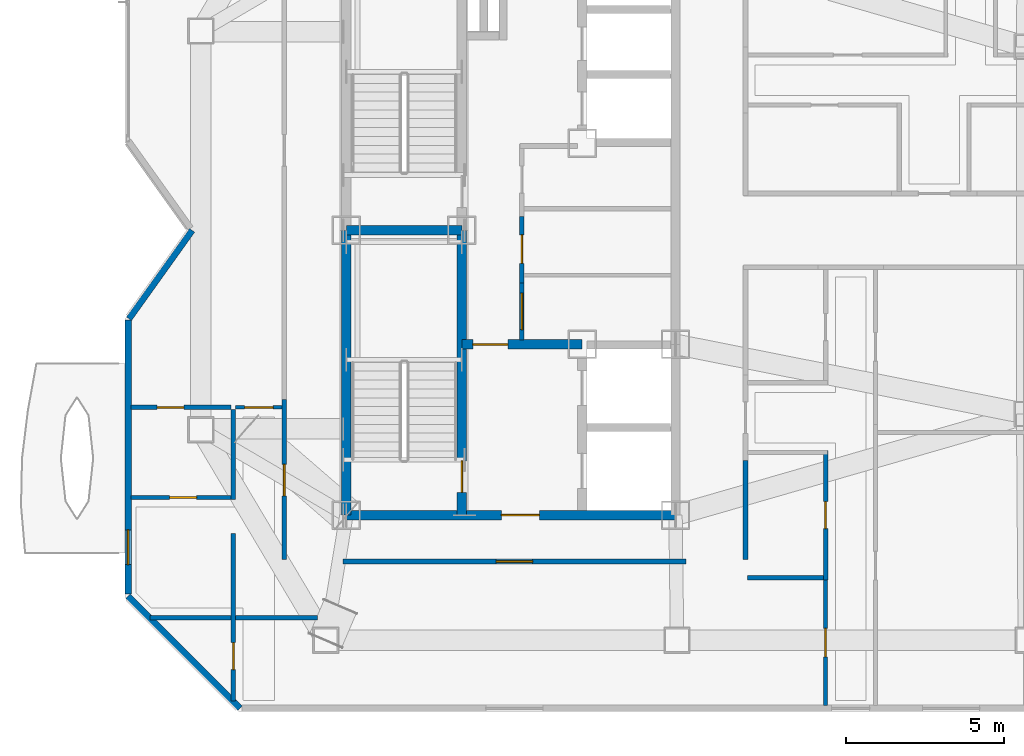
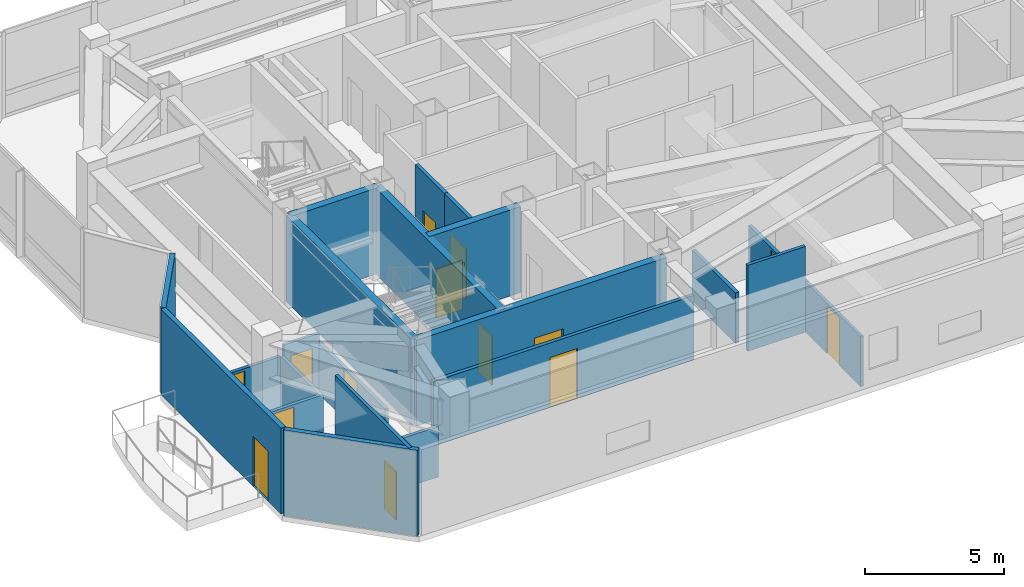
# One storey, part 9 of 16: 22 walls, 14 doors, 14 openings.
"""IFC4 building model written with IfcOpenShell, lengths in metres."""

import ifcopenshell
import ifcopenshell.guid

model = None  # the IFC model being written
_history = None  # IfcOwnerHistory: only IFC2X3 demands one
_inside = {}  # id of a spatial element -> (the spatial element, [elements in it])
_under = {}  # id of a project, library or spatial element -> (it, [spatial elements below it])
_declared = {}  # id of a project -> (the project, [libraries it declares])
_typed = {}  # id of a type object -> (the type object, [elements of that type])
_made_of = {}  # id of a material, layer set ... -> (it, [elements and type objects made of it])


def new_model(schema):
    """Start an empty IFC model of exactly this schema.

    Asked for "IFC4X3", IfcOpenShell would pick the latest addendum, in which some entities
    have other attributes; the version numbers below select the first issue.
    IFC2X3 requires an IfcOwnerHistory on every rooted entity: one is made here for all.
    """
    global model, _history
    if schema == "IFC4X3":
        model = ifcopenshell.file(schema_version=(4, 3, 0, 0))
    else:
        model = ifcopenshell.file(schema=schema)
    _inside.clear()
    _under.clear()
    _declared.clear()
    _typed.clear()
    _made_of.clear()
    _history = None
    if model.schema == "IFC2X3":
        org = make("IfcOrganization", Name="unknown")
        user = make(
            "IfcPersonAndOrganization",
            ThePerson=make("IfcPerson", FamilyName="unknown"),
            TheOrganization=org,
        )
        app = make(
            "IfcApplication",
            ApplicationDeveloper=org,
            Version="unknown",
            ApplicationFullName="unknown",
            ApplicationIdentifier="unknown",
        )
        _history = make(
            "IfcOwnerHistory",
            OwningUser=user,
            OwningApplication=app,
            ChangeAction="ADDED",
            CreationDate=0,
        )
    return model


def make(cls, **values):
    """One entity of the class cls with the attributes given. An attribute that is None is left unset."""
    return model.create_entity(
        cls, **{name: value for name, value in values.items() if value is not None}
    )


def rooted(cls, **values):
    """An entity with a GlobalId (a new one), such as an element, a storey or a relation."""
    return make(cls, GlobalId=ifcopenshell.guid.new(), OwnerHistory=_history, **values)


def si_unit(unit_type, name, prefix=None):
    """IfcSIUnit, for example si_unit("LENGTHUNIT", "METRE", prefix="MILLI")."""
    return make("IfcSIUnit", UnitType=unit_type, Prefix=prefix, Name=name)


def assignment(units):
    """IfcUnitAssignment: the units of a project."""
    return None if units is None else make("IfcUnitAssignment", Units=units)


def point(xyz):
    """IfcCartesianPoint."""
    return None if xyz is None else make("IfcCartesianPoint", Coordinates=xyz)


def direction(xyz):
    """IfcDirection."""
    return None if xyz is None else make("IfcDirection", DirectionRatios=xyz)


def frame(location, z_axis=None, x_axis=None):
    """IfcAxis2Placement3D, a coordinate frame: its origin and axes. An axis left out is left unset."""
    return make(
        "IfcAxis2Placement3D",
        Location=point(location),
        Axis=direction(z_axis),
        RefDirection=direction(x_axis),
    )


def frame_2d(location, x_axis=None):
    """IfcAxis2Placement2D, a coordinate frame in the plane: its origin and x axis."""
    return make(
        "IfcAxis2Placement2D", Location=point(location), RefDirection=direction(x_axis)
    )


def origin():
    """The frame at (0, 0, 0) with its axes left unset."""
    return frame((0.0, 0.0, 0.0))


def place(relative_to, where):
    """IfcLocalPlacement: puts the frame where relative to a parent placement (None: the world)."""
    return make(
        "IfcLocalPlacement", PlacementRelTo=relative_to, RelativePlacement=where
    )


def context(
    kind, dimensions, precision=None, world=None, true_north=None, identifier=None
):
    """IfcGeometricRepresentationContext, for example the 3D "Model" context."""
    return make(
        "IfcGeometricRepresentationContext",
        ContextIdentifier=identifier,
        ContextType=kind,
        CoordinateSpaceDimension=dimensions,
        Precision=precision,
        WorldCoordinateSystem=world,
        TrueNorth=true_north,
    )


def subcontext(parent, identifier, kind, view, scale=None):
    """IfcGeometricRepresentationSubContext, for example "Body" below "Model"."""
    return make(
        "IfcGeometricRepresentationSubContext",
        ContextIdentifier=identifier,
        ContextType=kind,
        ParentContext=parent,
        TargetScale=scale,
        TargetView=view,
    )


def project(units=None, contexts=None):
    """IfcProject with its units and contexts."""
    return rooted(
        "IfcProject",
        Name="project",
        RepresentationContexts=contexts,
        UnitsInContext=assignment(units),
    )


def spatial(cls, under=None, at=None, **own):
    """A site, building, storey or space (cls), placed at a placement, below another one or the project."""
    s = rooted(cls, ObjectPlacement=at, **own)
    if under is not None:
        _under.setdefault(under.id(), (under, []))[1].append(s)
    return s


def profile(cls, at=None, kind="AREA", **sizes):
    """A parametric profile (cls). Its sizes go by their IFC names, for example OverallWidth=200.0."""
    return make(cls, ProfileType=kind, Position=at, **sizes)


def rectangle(**sizes):
    """IfcRectangleProfileDef."""
    return profile("IfcRectangleProfileDef", **sizes)


def extrude(swept, where, along, depth):
    """IfcExtrudedAreaSolid: the profile swept, set in the frame where, extruded along a direction by depth."""
    return make(
        "IfcExtrudedAreaSolid",
        SweptArea=swept,
        Position=where,
        ExtrudedDirection=direction(along),
        Depth=depth,
    )


def shape(context_of_items, identifier, shape_type, items):
    """IfcShapeRepresentation: the items that make up one representation, for example the "Body"."""
    return make(
        "IfcShapeRepresentation",
        ContextOfItems=context_of_items,
        RepresentationIdentifier=identifier,
        RepresentationType=shape_type,
        Items=items,
    )


def material(Name=None, Category=None):
    """IfcMaterial."""
    return make("IfcMaterial", Name=Name, Category=Category)


def layer(
    of_material, thickness, ventilated=None, Name=None, Category=None, Priority=None
):
    """IfcMaterialLayer: one layer of a wall or slab, of a material (None: an air gap)."""
    return make(
        "IfcMaterialLayer",
        Material=of_material,
        LayerThickness=thickness,
        IsVentilated=ventilated,
        Name=Name,
        Category=Category,
        Priority=Priority,
    )


def layer_set(layers, Name=None):
    """IfcMaterialLayerSet."""
    return make("IfcMaterialLayerSet", MaterialLayers=layers, LayerSetName=Name)


def made_of(thing, what):
    """Note that an element or type object is made of a material, layer set ...; save() writes the relation."""
    if what is not None:
        _made_of.setdefault(what.id(), (what, []))[1].append(thing)
    return thing


def type_object(cls, material=None, **own):
    """A type object (cls), such as IfcWallType, which elements share."""
    return made_of(rooted(cls, **own), material)


def element(
    cls,
    number,
    at=None,
    inside=None,
    cuts=None,
    type_object=None,
    material=None,
    context=None,
    identifier="Body",
    shape_type=None,
    held_by="IfcProductDefinitionShape",
    body=None,
    shapes=None,
    **own,
):
    """One element of the class cls, such as IfcWall. Its Tag is "e" and its number.

    at: its placement. inside: the storey or other place that contains it. cuts: it is an
    opening in that element (IfcRelVoidsElement). A single representation is given by context,
    identifier, shape_type and body (its items); several are given by shapes. held_by: the class
    of the entity that holds the representations. save() writes the other relations.
    """
    e = rooted(cls, Tag="e%d" % number, ObjectPlacement=at, **own)
    if body is not None:
        shapes = [shape(context, identifier, shape_type, body)]
    if shapes is not None:
        e.Representation = make(held_by, Representations=shapes)
    if inside is not None:
        _inside.setdefault(inside.id(), (inside, []))[1].append(e)
    if cuts is not None:
        rooted(
            "IfcRelVoidsElement", RelatingBuildingElement=cuts, RelatedOpeningElement=e
        )
    if type_object is not None:
        _typed.setdefault(type_object.id(), (type_object, []))[1].append(e)
    return made_of(e, material)


def fill(opening, filler):
    """IfcRelFillsElement: the door or window that sits in an opening."""
    return rooted(
        "IfcRelFillsElement",
        RelatingOpeningElement=opening,
        RelatedBuildingElement=filler,
    )


def aggregate(whole, parts):
    """IfcRelAggregates: a whole, such as a stair, and the parts it consists of."""
    return rooted("IfcRelAggregates", RelatingObject=whole, RelatedObjects=parts)


def save(model, path):
    """Write the relations noted so far, then the file.

    IfcRelAggregates (storeys below a building ...), IfcRelContainedInSpatialStructure (elements
    in a storey), IfcRelDefinesByType, IfcRelAssociatesMaterial and IfcRelDeclares: one each for
    every whole, place, type object, material and project.
    """
    for whole, parts in _under.values():
        aggregate(whole, parts)
    for where, things in _inside.values():
        rooted(
            "IfcRelContainedInSpatialStructure",
            RelatedElements=things,
            RelatingStructure=where,
        )
    for kind, things in _typed.values():
        rooted("IfcRelDefinesByType", RelatedObjects=things, RelatingType=kind)
    for what, things in _made_of.values():
        rooted("IfcRelAssociatesMaterial", RelatedObjects=things, RelatingMaterial=what)
    for by, libraries in _declared.values():
        rooted("IfcRelDeclares", RelatingContext=by, RelatedDefinitions=libraries)
    model.write(path)


model = new_model("IFC4")

# Units and contexts
model_context = context("Model", 3, precision=1e-05, world=origin(), true_north=direction((0.0, 1.0)))
body_context = subcontext(model_context, "Body", "Model", "MODEL_VIEW")
ifc_project = project(units=[si_unit("LENGTHUNIT", "METRE"), si_unit("AREAUNIT", "SQUARE_METRE"), si_unit("VOLUMEUNIT", "CUBIC_METRE"), si_unit("PLANEANGLEUNIT", "RADIAN"), si_unit("MASSUNIT", "GRAM", prefix="KILO")], contexts=[model_context])

# Site, building, storey
site_placement = place(None, origin())
site = spatial("IfcSite", under=ifc_project, at=site_placement, CompositionType="ELEMENT")
building_placement = place(site_placement, origin())
building = spatial("IfcBuilding", under=site, at=building_placement, Name="Khamvora Tower", CompositionType="ELEMENT")
storey_placement = place(building_placement, frame((0.0, 0.0, 273.64990234375)))
storey = spatial("IfcBuildingStorey", under=building, at=storey_placement, Name="L70", CompositionType="ELEMENT", Elevation=273.64990234375)

# Wall
ifc_material_1 = material(Name="Concrete C50/60", Category="concrete")
ifc_layer_1 = layer(ifc_material_1, 0.300048828125)
ifc_layer_set_1 = layer_set([ifc_layer_1], Name="Concrete C50/60")
wall_type_1 = type_object("IfcWallType", Name="WAL-CORE-300", PredefinedType="SHEAR", material=ifc_layer_set_1)
wall_1_placement = place(storey_placement, frame((29.0, 19.0, 0.0), z_axis=(0.0, 0.0, 1.0), x_axis=(0.0, 1.0, 0.0)))
element("IfcWall", 1, at=wall_1_placement, inside=storey, type_object=wall_type_1, Name="L70 central core west south wall", PredefinedType="SHEAR", context=body_context, shape_type="SweptSolid", body=[
    extrude(rectangle(XDim=9.0, YDim=0.300048828125, at=frame_2d((4.5, 0.0))), origin(), (0.0, 0.0, 1.0), 3.780029296875),
])

# Wall, opening, door
wall_2_placement = place(storey_placement, frame((29.0, 19.0, 0.0), z_axis=(0.0, 0.0, 1.0), x_axis=(1.0, 0.0, 0.0)))
wall_2 = element("IfcWall", 2, at=wall_2_placement, inside=storey, type_object=wall_type_1, Name="L70 central core south wall", PredefinedType="SHEAR", context=body_context, shape_type="SweptSolid", body=[
    extrude(rectangle(XDim=10.39990234375, YDim=0.300048828125, at=frame_2d((5.199951171875, 0.0))), origin(), (0.0, 0.0, 1.0), 3.780029296875),
])
opening_1_placement = place(wall_2_placement, frame((4.89990234375, 0.0, 0.0)))
opening_1 = element("IfcOpeningElement", 3, at=opening_1_placement, cuts=wall_2, Name="Opening D-CR1", PredefinedType="OPENING", context=body_context, shape_type="SweptSolid", body=[
    extrude(rectangle(XDim=1.199951171875, YDim=2.14990234375, at=frame_2d((0.60009765625, 1.074951171875))), frame((0.0, 0.159912109375, 0.0), z_axis=(0.0, -1.0, 0.0), x_axis=(1.0, 0.0, 0.0)), (0.0, 0.0, 1.0), 0.320068359375),
])
ifc_material_2 = material(Name="Powder-Coated Steel and Hardwood Leaf", Category="steel")
door_type_1 = type_object("IfcDoorType", Name="DOR-CORR-1200", OperationType="NOTDEFINED", PredefinedType="DOOR", material=ifc_material_2)
door_1_placement = place(opening_1_placement, origin())
door_1 = element("IfcDoor", 4, at=door_1_placement, inside=storey, type_object=door_type_1, Name="L70 south core lobby to corridor fire door", OperationType="SINGLE_SWING_LEFT", OverallHeight=2.14990234375, OverallWidth=1.199951171875, PredefinedType="DOOR", context=body_context, shape_type="SweptSolid", body=[
    extrude(rectangle(XDim=1.199951171875, YDim=2.14990234375, at=frame_2d((0.60009765625, 1.074951171875))), frame((0.0, 0.02490234375, 0.0), z_axis=(0.0, -1.0, 0.0), x_axis=(1.0, 0.0, 0.0)), (0.0, 0.0, 1.0), 0.050048828125),
])
fill(opening_1, door_1)

wall_3_placement = place(storey_placement, frame((32.64990234375, 19.0, 0.0), z_axis=(0.0, 0.0, 1.0), x_axis=(0.0, 1.0, 0.0)))
wall_3 = element("IfcWall", 5, at=wall_3_placement, inside=storey, type_object=wall_type_1, Name="L70 central core stair south spine wall", PredefinedType="SHEAR", context=body_context, shape_type="SweptSolid", body=[
    extrude(rectangle(XDim=9.0, YDim=0.300048828125, at=frame_2d((4.5, 0.0))), origin(), (0.0, 0.0, 1.0), 3.780029296875),
])
opening_2_placement = place(wall_3_placement, frame((0.719970703125, 0.0, 0.0)))
opening_2 = element("IfcOpeningElement", 6, at=opening_2_placement, cuts=wall_3, Name="Opening D-ST1", PredefinedType="OPENING", context=body_context, shape_type="SweptSolid", body=[
    extrude(rectangle(XDim=1.0, YDim=2.14990234375, at=frame_2d((0.5, 1.074951171875))), frame((0.0, 0.159912109375, 0.0), z_axis=(0.0, -1.0, 0.0), x_axis=(1.0, 0.0, 0.0)), (0.0, 0.0, 1.0), 0.320068359375),
])
door_type_2 = type_object("IfcDoorType", Name="DOR-STAIR-1000", OperationType="NOTDEFINED", PredefinedType="DOOR", material=ifc_material_2)
door_2_placement = place(opening_2_placement, origin())
door_2 = element("IfcDoor", 7, at=door_2_placement, inside=storey, type_object=door_type_2, Name="L70 exit stair ST-01 fire door", OperationType="SINGLE_SWING_RIGHT", OverallHeight=2.14990234375, OverallWidth=1.0, PredefinedType="DOOR", context=body_context, shape_type="SweptSolid", body=[
    extrude(rectangle(XDim=1.0, YDim=2.14990234375, at=frame_2d((0.5, 1.074951171875))), frame((0.0, 0.02490234375, 0.0), z_axis=(0.0, -1.0, 0.0), x_axis=(1.0, 0.0, 0.0)), (0.0, 0.0, 1.0), 0.050048828125),
])
fill(opening_2, door_2)

# Wall
wall_4_placement = place(storey_placement, frame((29.0, 28.0, 0.0), z_axis=(0.0, 0.0, 1.0), x_axis=(1.0, 0.0, 0.0)))
element("IfcWall", 8, at=wall_4_placement, inside=storey, type_object=wall_type_1, Name="L70 central core stair cross wall", PredefinedType="SHEAR", context=body_context, shape_type="SweptSolid", body=[
    extrude(rectangle(XDim=3.64990234375, YDim=0.300048828125, at=frame_2d((1.824951171875, 0.0))), origin(), (0.0, 0.0, 1.0), 3.780029296875),
])

# Wall, opening, door
wall_5_placement = place(storey_placement, frame((32.64990234375, 24.39990234375, 0.0), z_axis=(0.0, 0.0, 1.0), x_axis=(1.0, 0.0, 0.0)))
wall_5 = element("IfcWall", 9, at=wall_5_placement, inside=storey, type_object=wall_type_1, Name="L70 central core firefighting lobby north wall", PredefinedType="SHEAR", context=body_context, shape_type="SweptSolid", body=[
    extrude(rectangle(XDim=3.800048828125, YDim=0.300048828125, at=frame_2d((1.89990234375, 0.0))), origin(), (0.0, 0.0, 1.0), 3.780029296875),
])
opening_3_placement = place(wall_5_placement, frame((0.35009765625, 0.0, 0.0)))
opening_3 = element("IfcOpeningElement", 10, at=opening_3_placement, cuts=wall_5, Name="Opening D-FF1", PredefinedType="OPENING", context=body_context, shape_type="SweptSolid", body=[
    extrude(rectangle(XDim=1.10009765625, YDim=2.14990234375, at=frame_2d((0.550048828125, 1.074951171875))), frame((0.0, 0.159912109375, 0.0), z_axis=(0.0, -1.0, 0.0), x_axis=(1.0, 0.0, 0.0)), (0.0, 0.0, 1.0), 0.320068359375),
])
door_type_3 = type_object("IfcDoorType", Name="DOR-FFLOB-1100", OperationType="NOTDEFINED", PredefinedType="DOOR", material=ifc_material_2)
door_3_placement = place(opening_3_placement, origin())
door_3 = element("IfcDoor", 11, at=door_3_placement, inside=storey, type_object=door_type_3, Name="L70 firefighting lobby smoke-seal fire door", OperationType="SINGLE_SWING_RIGHT", OverallHeight=2.14990234375, OverallWidth=1.10009765625, PredefinedType="DOOR", context=body_context, shape_type="SweptSolid", body=[
    extrude(rectangle(XDim=1.10009765625, YDim=2.14990234375, at=frame_2d((0.550048828125, 1.074951171875))), frame((0.0, 0.02490234375, 0.0), z_axis=(0.0, -1.0, 0.0), x_axis=(1.0, 0.0, 0.0)), (0.0, 0.0, 1.0), 0.050048828125),
])
fill(opening_3, door_3)

ifc_material_3 = material(Name="Fire-Rated Drywall and Steel Stud", Category="steel")
ifc_layer_2 = layer(ifc_material_3, 0.14990234375)
ifc_layer_set_2 = layer_set([ifc_layer_2], Name="Fire-Rated Drywall and Steel Stud")
wall_type_2 = type_object("IfcWallType", Name="WAL-CORR-150", PredefinedType="STANDARD", material=ifc_layer_set_2)
wall_6_placement = place(storey_placement, frame((34.544921875, 28.43603515625, 0.0), z_axis=(0.0, 0.0, 1.0), x_axis=(0.0, -1.0, 0.0)))
wall_6 = element("IfcWall", 12, at=wall_6_placement, inside=storey, type_object=wall_type_2, Name="L70 interior partition wall 003", PredefinedType="STANDARD", context=body_context, shape_type="SweptSolid", body=[
    extrude(rectangle(XDim=2.10009765625, YDim=0.14990234375, at=frame_2d((1.050048828125, 0.0))), origin(), (0.0, 0.0, 1.0), 3.780029296875),
])
opening_4_placement = place(wall_6_placement, frame((0.5791015625, 0.0, 0.0)))
opening_4 = element("IfcOpeningElement", 13, at=opening_4_placement, cuts=wall_6, Name="Opening D-RM1", PredefinedType="OPENING", context=body_context, shape_type="SweptSolid", body=[
    extrude(rectangle(XDim=0.89990234375, YDim=2.10009765625, at=frame_2d((0.449951171875, 1.050048828125))), frame((0.0, 0.0849609375, 0.0), z_axis=(0.0, -1.0, 0.0), x_axis=(1.0, 0.0, 0.0)), (0.0, 0.0, 1.0), 0.169921875),
])
door_type_4 = type_object("IfcDoorType", Name="DOR-ROOM-900", OperationType="NOTDEFINED", PredefinedType="DOOR", material=ifc_material_2)
door_4_placement = place(opening_4_placement, origin())
door_4 = element("IfcDoor", 14, at=door_4_placement, inside=storey, type_object=door_type_4, Name="L70 interior door PHL-CS2", OperationType="SINGLE_SWING_RIGHT", OverallHeight=2.10009765625, OverallWidth=0.89990234375, PredefinedType="DOOR", context=body_context, shape_type="SweptSolid", body=[
    extrude(rectangle(XDim=0.89990234375, YDim=2.10009765625, at=frame_2d((0.449951171875, 1.050048828125))), frame((0.0, 0.02490234375, 0.0), z_axis=(0.0, -1.0, 0.0), x_axis=(1.0, 0.0, 0.0)), (0.0, 0.0, 1.0), 0.050048828125),
])
fill(opening_4, door_4)

wall_7_placement = place(storey_placement, frame((34.544921875, 26.3359375, 0.0), z_axis=(0.0, 0.0, 1.0), x_axis=(0.0, -1.0, 0.0)))
wall_7 = element("IfcWall", 15, at=wall_7_placement, inside=storey, type_object=wall_type_2, Name="L70 interior partition wall 004", PredefinedType="STANDARD", context=body_context, shape_type="SweptSolid", body=[
    extrude(rectangle(XDim=1.7919921875, YDim=0.14990234375, at=frame_2d((0.89599609375, 0.0))), origin(), (0.0, 0.0, 1.0), 3.780029296875),
])
opening_5_placement = place(wall_7_placement, frame((0.321044921875, 0.0, 0.0)))
opening_5 = element("IfcOpeningElement", 16, at=opening_5_placement, cuts=wall_7, Name="Opening D-SC1", PredefinedType="OPENING", context=body_context, shape_type="SweptSolid", body=[
    extrude(rectangle(XDim=1.14990234375, YDim=2.199951171875, at=frame_2d((0.574951171875, 1.10009765625))), frame((0.0, 0.0849609375, 0.0), z_axis=(0.0, -1.0, 0.0), x_axis=(1.0, 0.0, 0.0)), (0.0, 0.0, 1.0), 0.169921875),
])
door_type_5 = type_object("IfcDoorType", Name="DOR-SCHL-1150", OperationType="NOTDEFINED", PredefinedType="DOOR", material=ifc_material_2)
door_5_placement = place(opening_5_placement, origin())
door_5 = element("IfcDoor", 17, at=door_5_placement, inside=storey, type_object=door_type_5, Name="L70 interior door PHL-CS3", OperationType="SINGLE_SWING_LEFT", OverallHeight=2.199951171875, OverallWidth=1.14990234375, PredefinedType="DOOR", context=body_context, shape_type="SweptSolid", body=[
    extrude(rectangle(XDim=1.14990234375, YDim=2.199951171875, at=frame_2d((0.574951171875, 1.10009765625))), frame((0.0, 0.02490234375, 0.0), z_axis=(0.0, -1.0, 0.0), x_axis=(1.0, 0.0, 0.0)), (0.0, 0.0, 1.0), 0.050048828125),
])
fill(opening_5, door_5)

wall_8_placement = place(storey_placement, frame((39.73388671875, 17.534912109375, 0.0), z_axis=(0.0, 0.0, 1.0), x_axis=(-1.0, 0.0, 0.0)))
wall_8 = element("IfcWall", 18, at=wall_8_placement, inside=storey, type_object=wall_type_2, Name="L70 interior partition wall 007", PredefinedType="STANDARD", context=body_context, shape_type="SweptSolid", body=[
    extrude(rectangle(XDim=10.847900390625, YDim=0.14990234375, at=frame_2d((5.423828125, 0.0))), origin(), (0.0, 0.0, 1.0), 2.837158203125),
])
opening_6_placement = place(wall_8_placement, frame((4.84912109375, 0.0, 0.0)))
opening_6 = element("IfcOpeningElement", 19, at=opening_6_placement, cuts=wall_8, Name="Opening D-SC1", PredefinedType="OPENING", context=body_context, shape_type="SweptSolid", body=[
    extrude(rectangle(XDim=1.14990234375, YDim=2.199951171875, at=frame_2d((0.574951171875, 1.10009765625))), frame((0.0, 0.0849609375, 0.0), z_axis=(0.0, -1.0, 0.0), x_axis=(1.0, 0.0, 0.0)), (0.0, 0.0, 1.0), 0.169921875),
])
door_6_placement = place(opening_6_placement, origin())
door_6 = element("IfcDoor", 20, at=door_6_placement, inside=storey, type_object=door_type_5, Name="L70 interior door COR-CREA", OperationType="SINGLE_SWING_RIGHT", OverallHeight=2.199951171875, OverallWidth=1.14990234375, PredefinedType="DOOR", context=body_context, shape_type="SweptSolid", body=[
    extrude(rectangle(XDim=1.14990234375, YDim=2.199951171875, at=frame_2d((0.574951171875, 1.10009765625))), frame((0.0, 0.02490234375, 0.0), z_axis=(0.0, -1.0, 0.0), x_axis=(1.0, 0.0, 0.0)), (0.0, 0.0, 1.0), 0.050048828125),
])
fill(opening_6, door_6)

wall_9_placement = place(storey_placement, frame((27.034912109375, 17.60009765625, 0.0), z_axis=(0.0, 0.0, 1.0), x_axis=(0.0, 1.0, 0.0)))
wall_9 = element("IfcWall", 21, at=wall_9_placement, inside=storey, type_object=wall_type_2, Name="L70 interior partition wall 008", PredefinedType="STANDARD", context=body_context, shape_type="SweptSolid", body=[
    extrude(rectangle(XDim=5.058837890625, YDim=0.14990234375, at=frame_2d((2.529296875, 0.0))), origin(), (0.0, 0.0, 1.0), 2.22021484375),
])
opening_7_placement = place(wall_9_placement, frame((2.009033203125, 0.0, 0.0)))
opening_7 = element("IfcOpeningElement", 22, at=opening_7_placement, cuts=wall_9, Name="Opening D-U1", PredefinedType="OPENING", context=body_context, shape_type="SweptSolid", body=[
    extrude(rectangle(XDim=1.0, YDim=2.14990234375, at=frame_2d((0.5, 1.074951171875))), frame((0.0, 0.0849609375, 0.0), z_axis=(0.0, -1.0, 0.0), x_axis=(1.0, 0.0, 0.0)), (0.0, 0.0, 1.0), 0.169921875),
])
door_type_6 = type_object("IfcDoorType", Name="DOR-UNIT-1000", OperationType="NOTDEFINED", PredefinedType="DOOR", material=ifc_material_2)
door_7_placement = place(opening_7_placement, origin())
door_7 = element("IfcDoor", 23, at=door_7_placement, inside=storey, type_object=door_type_6, Name="L70 interior door COR-70AH", OperationType="SINGLE_SWING_LEFT", OverallHeight=2.14990234375, OverallWidth=1.0, PredefinedType="DOOR", context=body_context, shape_type="SweptSolid", body=[
    extrude(rectangle(XDim=1.0, YDim=2.14990234375, at=frame_2d((0.5, 1.074951171875))), frame((0.0, 0.02490234375, 0.0), z_axis=(0.0, -1.0, 0.0), x_axis=(1.0, 0.0, 0.0)), (0.0, 0.0, 1.0), 0.050048828125),
])
fill(opening_7, door_7)

# Walls
wall_10_placement = place(storey_placement, frame((41.614990234375, 20.735107421875, 0.0), z_axis=(0.0, 0.0, 1.0), x_axis=(0.0, -1.0, 0.0)))
element("IfcWall", 24, at=wall_10_placement, inside=storey, type_object=wall_type_2, Name="L70 interior partition wall 014", PredefinedType="STANDARD", context=body_context, shape_type="SweptSolid", body=[
    extrude(rectangle(XDim=3.135009765625, YDim=0.14990234375, at=frame_2d((1.5673828125, 0.0))), origin(), (0.0, 0.0, 1.0), 2.22021484375),
])
ifc_material_4 = material(Name="Precast concrete C40/50", Category="concrete")
ifc_layer_3 = layer(ifc_material_4, 0.199951171875)
ifc_layer_set_3 = layer_set([ifc_layer_3], Name="Precast concrete C40/50")
wall_type_3 = type_object("IfcWallType", Name="WAL-EXT-200", PredefinedType="STANDARD", material=ifc_layer_set_3)
wall_11_placement = place(storey_placement, frame((25.64111328125, 12.89990234375, 0.0), z_axis=(0.0, 0.0, 1.0), x_axis=(-0.707106781187, 0.707106781187, 0.0)))
element("IfcWall", 25, at=wall_11_placement, inside=storey, type_object=wall_type_3, Name="L70 exterior facade wall 01.1", PredefinedType="STANDARD", context=body_context, shape_type="SweptSolid", body=[
    extrude(rectangle(XDim=5.0078125, YDim=0.199951171875, at=frame_2d((2.50390625, 0.0))), origin(), (0.0, 0.0, 1.0), 3.780029296875),
])

# Wall, opening, door
wall_12_placement = place(storey_placement, frame((22.10009765625, 16.50390625, 0.0), z_axis=(0.0, 0.0, 1.0), x_axis=(0.0, 1.0, 0.0)))
wall_12 = element("IfcWall", 26, at=wall_12_placement, inside=storey, type_object=wall_type_3, Name="L70 exterior facade wall 02.1", PredefinedType="STANDARD", context=body_context, shape_type="SweptSolid", body=[
    extrude(rectangle(XDim=8.6640625, YDim=0.199951171875, at=frame_2d((4.33203125, 0.0))), origin(), (0.0, 0.0, 1.0), 3.780029296875),
])
opening_8_placement = place(wall_12_placement, frame((0.93505859375, 0.0, 0.0)))
opening_8 = element("IfcOpeningElement", 27, at=opening_8_placement, cuts=wall_12, Name="Opening BD-01", PredefinedType="OPENING", context=body_context, shape_type="SweptSolid", body=[
    extrude(rectangle(XDim=1.10009765625, YDim=2.199951171875, at=frame_2d((0.550048828125, 1.10009765625))), frame((0.0, 0.10986328125, 0.0), z_axis=(0.0, -1.0, 0.0), x_axis=(1.0, 0.0, 0.0)), (0.0, 0.0, 1.0), 0.219970703125),
])
ifc_material_5 = material(Name="Anodised Aluminium and Laminated Safety Glass", Category="aluminium")
door_type_7 = type_object("IfcDoorType", Name="DOR-BAL-1100", OperationType="NOTDEFINED", PredefinedType="DOOR", material=ifc_material_5)
door_8_placement = place(opening_8_placement, origin())
door_8 = element("IfcDoor", 28, at=door_8_placement, inside=storey, type_object=door_type_7, Name="L70 lens gallery balcony door WL1", OperationType="SLIDING_TO_LEFT", OverallHeight=2.199951171875, OverallWidth=1.10009765625, PredefinedType="DOOR", context=body_context, shape_type="SweptSolid", body=[
    extrude(rectangle(XDim=1.10009765625, YDim=2.199951171875, at=frame_2d((0.550048828125, 1.10009765625))), frame((0.0, 0.02490234375, 0.0), z_axis=(0.0, -1.0, 0.0), x_axis=(1.0, 0.0, 0.0)), (0.0, 0.0, 1.0), 0.050048828125),
])
fill(opening_8, door_8)

# Wall
wall_13_placement = place(storey_placement, frame((22.1279296875, 25.2080078125, 0.0), z_axis=(0.0, 0.0, 1.0), x_axis=(0.581399701415, 0.813618084358, 0.0)))
element("IfcWall", 29, at=wall_13_placement, inside=storey, type_object=wall_type_3, Name="L70 exterior facade wall 03.1", PredefinedType="STANDARD", context=body_context, shape_type="SweptSolid", body=[
    extrude(rectangle(XDim=3.431640625, YDim=0.199951171875, at=frame_2d((1.7158203125, 0.0))), origin(), (0.0, 0.0, 1.0), 3.780029296875),
])

# Wall, opening, door
ifc_material_6 = material(Name="Gypsum Plasterboard Partition", Category="gypsum")
ifc_layer_4 = layer(ifc_material_6, 0.1201171875)
ifc_layer_set_4 = layer_set([ifc_layer_4], Name="Gypsum Plasterboard Partition")
wall_type_4 = type_object("IfcWallType", Name="WAL-PART-120", PredefinedType="PARTITIONING", material=ifc_layer_set_4)
wall_14_placement = place(storey_placement, frame((25.489990234375, 22.409912109375, 0.0), z_axis=(0.0, 0.0, 1.0), x_axis=(1.0, 0.0, 0.0)))
wall_14 = element("IfcWall", 30, at=wall_14_placement, inside=storey, type_object=wall_type_4, Name="L70 interior partition wall 033", PredefinedType="PARTITIONING", context=body_context, shape_type="SweptSolid", body=[
    extrude(rectangle(XDim=1.47998046875, YDim=0.1201171875, at=frame_2d((0.739990234375, 0.0))), origin(), (0.0, 0.0, 1.0), 2.670166015625),
])
opening_9_placement = place(wall_14_placement, frame((0.2900390625, 0.0, 0.0)))
opening_9 = element("IfcOpeningElement", 31, at=opening_9_placement, cuts=wall_14, Name="Opening D-RM1", PredefinedType="OPENING", context=body_context, shape_type="SweptSolid", body=[
    extrude(rectangle(XDim=0.89990234375, YDim=2.10009765625, at=frame_2d((0.449951171875, 1.050048828125))), frame((0.0, 0.070068359375, 0.0), z_axis=(0.0, -1.0, 0.0), x_axis=(1.0, 0.0, 0.0)), (0.0, 0.0, 1.0), 0.14013671875),
])
door_9_placement = place(opening_9_placement, origin())
door_9 = element("IfcDoor", 32, at=door_9_placement, inside=storey, type_object=door_type_4, Name="L70 interior door 70AH-70AR1", OperationType="SINGLE_SWING_RIGHT", OverallHeight=2.10009765625, OverallWidth=0.89990234375, PredefinedType="DOOR", context=body_context, shape_type="SweptSolid", body=[
    extrude(rectangle(XDim=0.89990234375, YDim=2.10009765625, at=frame_2d((0.449951171875, 1.050048828125))), frame((0.0, 0.02490234375, 0.0), z_axis=(0.0, -1.0, 0.0), x_axis=(1.0, 0.0, 0.0)), (0.0, 0.0, 1.0), 0.050048828125),
])
fill(opening_9, door_9)

wall_15_placement = place(storey_placement, frame((44.14501953125, 16.9541015625, 0.0), z_axis=(0.0, 0.0, 1.0), x_axis=(0.0, -1.0, 0.0)))
wall_15 = element("IfcWall", 33, at=wall_15_placement, inside=storey, type_object=wall_type_4, Name="L70 interior partition wall 035", PredefinedType="PARTITIONING", context=body_context, shape_type="SweptSolid", body=[
    extrude(rectangle(XDim=3.962158203125, YDim=0.1201171875, at=frame_2d((1.98095703125, 0.0))), origin(), (0.0, 0.0, 1.0), 2.22021484375),
])
opening_10_placement = place(wall_15_placement, frame((1.531005859375, 0.0, 0.0)))
opening_10 = element("IfcOpeningElement", 34, at=opening_10_placement, cuts=wall_15, Name="Opening D-RM1", PredefinedType="OPENING", context=body_context, shape_type="SweptSolid", body=[
    extrude(rectangle(XDim=0.89990234375, YDim=2.10009765625, at=frame_2d((0.449951171875, 1.050048828125))), frame((0.0, 0.070068359375, 0.0), z_axis=(0.0, -1.0, 0.0), x_axis=(1.0, 0.0, 0.0)), (0.0, 0.0, 1.0), 0.14013671875),
])
door_10_placement = place(opening_10_placement, origin())
door_10 = element("IfcDoor", 35, at=door_10_placement, inside=storey, type_object=door_type_4, Name="L70 interior door 70CW1-70CH", OperationType="SINGLE_SWING_LEFT", OverallHeight=2.10009765625, OverallWidth=0.89990234375, PredefinedType="DOOR", context=body_context, shape_type="SweptSolid", body=[
    extrude(rectangle(XDim=0.89990234375, YDim=2.10009765625, at=frame_2d((0.449951171875, 1.050048828125))), frame((0.0, 0.02490234375, 0.0), z_axis=(0.0, -1.0, 0.0), x_axis=(1.0, 0.0, 0.0)), (0.0, 0.0, 1.0), 0.050048828125),
])
fill(opening_10, door_10)

ifc_material_7 = material(Name="Moisture-Resistant Plasterboard Partition", Category="gypsum")
ifc_layer_5 = layer(ifc_material_7, 0.135009765625)
ifc_layer_set_5 = layer_set([ifc_layer_5], Name="Moisture-Resistant Plasterboard Partition")
wall_type_5 = type_object("IfcWallType", Name="WAL-WET-135", PredefinedType="PARTITIONING", material=ifc_layer_set_5)
wall_16_placement = place(storey_placement, frame((25.425048828125, 13.123046875, 0.0), z_axis=(0.0, 0.0, 1.0), x_axis=(0.0, 1.0, 0.0)))
wall_16 = element("IfcWall", 36, at=wall_16_placement, inside=storey, type_object=wall_type_5, Name="L70 interior partition wall 029", PredefinedType="PARTITIONING", context=body_context, shape_type="SweptSolid", body=[
    extrude(rectangle(XDim=5.302001953125, YDim=0.135009765625, at=frame_2d((2.65087890625, 0.0))), origin(), (0.0, 0.0, 1.0), 3.780029296875),
])
opening_11_placement = place(wall_16_placement, frame((0.9970703125, 0.0, 0.0)))
opening_11 = element("IfcOpeningElement", 37, at=opening_11_placement, cuts=wall_16, Name="Opening D-WC1", PredefinedType="OPENING", context=body_context, shape_type="SweptSolid", body=[
    extrude(rectangle(XDim=0.85009765625, YDim=2.10009765625, at=frame_2d((0.425048828125, 1.050048828125))), frame((0.0, 0.077392578125, 0.0), z_axis=(0.0, -1.0, 0.0), x_axis=(1.0, 0.0, 0.0)), (0.0, 0.0, 1.0), 0.155029296875),
])
door_type_8 = type_object("IfcDoorType", Name="DOR-WET-850", OperationType="NOTDEFINED", PredefinedType="DOOR", material=ifc_material_2)
door_11_placement = place(opening_11_placement, origin())
door_11 = element("IfcDoor", 38, at=door_11_placement, inside=storey, type_object=door_type_8, Name="L70 interior door 70AH-70AB", OperationType="SINGLE_SWING_LEFT", OverallHeight=2.10009765625, OverallWidth=0.85009765625, PredefinedType="DOOR", context=body_context, shape_type="SweptSolid", body=[
    extrude(rectangle(XDim=0.85009765625, YDim=2.10009765625, at=frame_2d((0.425048828125, 1.050048828125))), frame((0.0, 0.02490234375, 0.0), z_axis=(0.0, -1.0, 0.0), x_axis=(1.0, 0.0, 0.0)), (0.0, 0.0, 1.0), 0.050048828125),
])
fill(opening_11, door_11)

# Wall
wall_17_placement = place(storey_placement, frame((28.090087890625, 15.760009765625, 0.0), z_axis=(0.0, 0.0, 1.0), x_axis=(-1.0, 0.0, 0.0)))
element("IfcWall", 39, at=wall_17_placement, inside=storey, type_object=wall_type_5, Name="L70 interior partition wall 030", PredefinedType="PARTITIONING", context=body_context, shape_type="SweptSolid", body=[
    extrude(rectangle(XDim=5.302001953125, YDim=0.135009765625, at=frame_2d((2.65087890625, 0.0))), origin(), (0.0, 0.0, 1.0), 2.22021484375),
])

# Wall, opening, door
wall_18_placement = place(storey_placement, frame((22.19189453125, 19.56005859375, 0.0), z_axis=(0.0, 0.0, 1.0), x_axis=(1.0, 0.0, 0.0)))
wall_18 = element("IfcWall", 40, at=wall_18_placement, inside=storey, type_object=wall_type_5, Name="L70 interior partition wall 031", PredefinedType="PARTITIONING", context=body_context, shape_type="SweptSolid", body=[
    extrude(rectangle(XDim=3.298095703125, YDim=0.135009765625, at=frame_2d((1.64892578125, 0.0))), origin(), (0.0, 0.0, 1.0), 2.22021484375),
])
opening_12_placement = place(wall_18_placement, frame((1.22412109375, 0.0, 0.0)))
opening_12 = element("IfcOpeningElement", 41, at=opening_12_placement, cuts=wall_18, Name="Opening D-RM2", PredefinedType="OPENING", context=body_context, shape_type="SweptSolid", body=[
    extrude(rectangle(XDim=0.85009765625, YDim=2.10009765625, at=frame_2d((0.425048828125, 1.050048828125))), frame((0.0, 0.077392578125, 0.0), z_axis=(0.0, -1.0, 0.0), x_axis=(1.0, 0.0, 0.0)), (0.0, 0.0, 1.0), 0.155029296875),
])
door_type_9 = type_object("IfcDoorType", Name="DOR-ROOM-850", OperationType="NOTDEFINED", PredefinedType="DOOR", material=ifc_material_2)
door_12_placement = place(opening_12_placement, origin())
door_12 = element("IfcDoor", 42, at=door_12_placement, inside=storey, type_object=door_type_9, Name="L70 interior door 70AH-70AK", OperationType="SINGLE_SWING_LEFT", OverallHeight=2.10009765625, OverallWidth=0.85009765625, PredefinedType="DOOR", context=body_context, shape_type="SweptSolid", body=[
    extrude(rectangle(XDim=0.85009765625, YDim=2.10009765625, at=frame_2d((0.425048828125, 1.050048828125))), frame((0.0, 0.02490234375, 0.0), z_axis=(0.0, -1.0, 0.0), x_axis=(1.0, 0.0, 0.0)), (0.0, 0.0, 1.0), 0.050048828125),
])
fill(opening_12, door_12)

# Wall
wall_19_placement = place(storey_placement, frame((25.425048828125, 19.4951171875, 0.0), z_axis=(0.0, 0.0, 1.0), x_axis=(0.0, 1.0, 0.0)))
element("IfcWall", 43, at=wall_19_placement, inside=storey, type_object=wall_type_5, Name="L70 interior partition wall 032", PredefinedType="PARTITIONING", context=body_context, shape_type="SweptSolid", body=[
    extrude(rectangle(XDim=2.849853515625, YDim=0.135009765625, at=frame_2d((1.4248046875, 0.0))), origin(), (0.0, 0.0, 1.0), 2.22021484375),
])

# Wall, opening, door
wall_20_placement = place(storey_placement, frame((22.19189453125, 22.409912109375, 0.0), z_axis=(0.0, 0.0, 1.0), x_axis=(1.0, 0.0, 0.0)))
wall_20 = element("IfcWall", 44, at=wall_20_placement, inside=storey, type_object=wall_type_5, Name="L70 interior partition wall 034", PredefinedType="PARTITIONING", context=body_context, shape_type="SweptSolid", body=[
    extrude(rectangle(XDim=3.168212890625, YDim=0.135009765625, at=frame_2d((1.583984375, 0.0))), origin(), (0.0, 0.0, 1.0), 2.22021484375),
])
opening_13_placement = place(wall_20_placement, frame((0.822021484375, 0.0, 0.0)))
opening_13 = element("IfcOpeningElement", 45, at=opening_13_placement, cuts=wall_20, Name="Opening D-RM2", PredefinedType="OPENING", context=body_context, shape_type="SweptSolid", body=[
    extrude(rectangle(XDim=0.85009765625, YDim=2.10009765625, at=frame_2d((0.425048828125, 1.050048828125))), frame((0.0, 0.077392578125, 0.0), z_axis=(0.0, -1.0, 0.0), x_axis=(1.0, 0.0, 0.0)), (0.0, 0.0, 1.0), 0.155029296875),
])
door_13_placement = place(opening_13_placement, origin())
door_13 = element("IfcDoor", 46, at=door_13_placement, inside=storey, type_object=door_type_9, Name="L70 interior door 70AK-70AR1", OperationType="SINGLE_SWING_LEFT", OverallHeight=2.10009765625, OverallWidth=0.85009765625, PredefinedType="DOOR", context=body_context, shape_type="SweptSolid", body=[
    extrude(rectangle(XDim=0.85009765625, YDim=2.10009765625, at=frame_2d((0.425048828125, 1.050048828125))), frame((0.0, 0.02490234375, 0.0), z_axis=(0.0, -1.0, 0.0), x_axis=(1.0, 0.0, 0.0)), (0.0, 0.0, 1.0), 0.050048828125),
])
fill(opening_13, door_13)

# Wall
wall_21_placement = place(storey_placement, frame((41.679931640625, 17.01904296875, 0.0), z_axis=(0.0, 0.0, 1.0), x_axis=(1.0, 0.0, 0.0)))
element("IfcWall", 47, at=wall_21_placement, inside=storey, type_object=wall_type_5, Name="L70 interior partition wall 036", PredefinedType="PARTITIONING", context=body_context, shape_type="SweptSolid", body=[
    extrude(rectangle(XDim=2.400146484375, YDim=0.135009765625, at=frame_2d((1.2001953125, 0.0))), origin(), (0.0, 0.0, 1.0), 3.780029296875),
])

# Wall, opening, door
wall_22_placement = place(storey_placement, frame((44.14501953125, 16.9541015625, 0.0), z_axis=(0.0, 0.0, 1.0), x_axis=(0.0, 1.0, 0.0)))
wall_22 = element("IfcWall", 48, at=wall_22_placement, inside=storey, type_object=wall_type_5, Name="L70 interior partition wall 039", PredefinedType="PARTITIONING", context=body_context, shape_type="SweptSolid", body=[
    extrude(rectangle(XDim=4.094970703125, YDim=0.135009765625, at=frame_2d((2.04736328125, 0.0))), origin(), (0.0, 0.0, 1.0), 2.22021484375),
])
opening_14_placement = place(wall_22_placement, frame((1.6220703125, 0.0, 0.0)))
opening_14 = element("IfcOpeningElement", 49, at=opening_14_placement, cuts=wall_22, Name="Opening D-RM2", PredefinedType="OPENING", context=body_context, shape_type="SweptSolid", body=[
    extrude(rectangle(XDim=0.85009765625, YDim=2.10009765625, at=frame_2d((0.425048828125, 1.050048828125))), frame((0.0, 0.077392578125, 0.0), z_axis=(0.0, -1.0, 0.0), x_axis=(1.0, 0.0, 0.0)), (0.0, 0.0, 1.0), 0.155029296875),
])
door_14_placement = place(opening_14_placement, origin())
door_14 = element("IfcDoor", 50, at=door_14_placement, inside=storey, type_object=door_type_9, Name="L70 interior door 70CH-70CK", OperationType="SINGLE_SWING_LEFT", OverallHeight=2.10009765625, OverallWidth=0.85009765625, PredefinedType="DOOR", context=body_context, shape_type="SweptSolid", body=[
    extrude(rectangle(XDim=0.85009765625, YDim=2.10009765625, at=frame_2d((0.425048828125, 1.050048828125))), frame((0.0, 0.02490234375, 0.0), z_axis=(0.0, -1.0, 0.0), x_axis=(1.0, 0.0, 0.0)), (0.0, 0.0, 1.0), 0.050048828125),
])
fill(opening_14, door_14)

save(model, "model.ifc")
